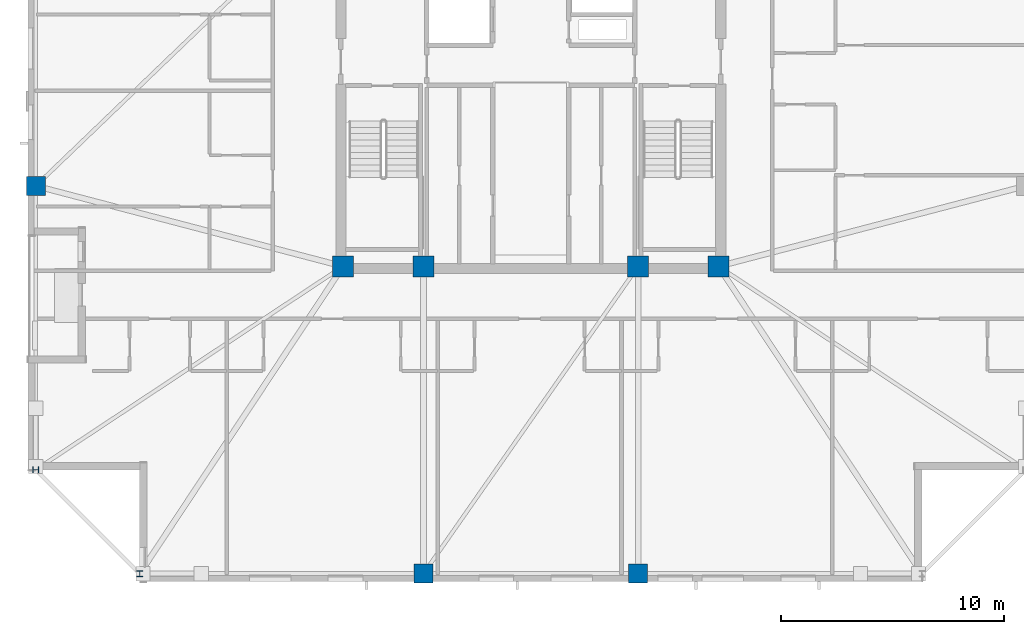
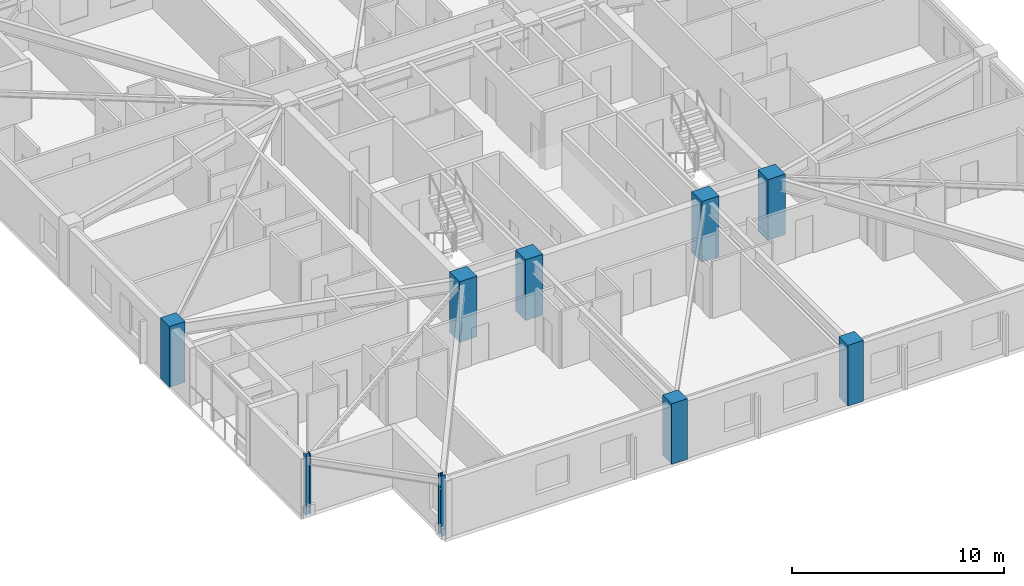
# One storey, part 1 of 17: 9 columns.
"""IFC4 building model written with IfcOpenShell, lengths in metres."""

from ifc_helpers import new_model, si_unit, direction, frame, origin, origin_2d, place, context, subcontext, project, spatial, rectangle, i_section, extrude, material, material_profile, profile_set, type_object, element, save


model = new_model("IFC4")

# Units and contexts
model_context = context("Model", 3, precision=1e-05, world=origin(), true_north=direction((0.0, 1.0)))
body_context = subcontext(model_context, "Body", "Model", "MODEL_VIEW")
ifc_project = project(units=[si_unit("LENGTHUNIT", "METRE"), si_unit("AREAUNIT", "SQUARE_METRE"), si_unit("VOLUMEUNIT", "CUBIC_METRE"), si_unit("PLANEANGLEUNIT", "RADIAN"), si_unit("MASSUNIT", "GRAM", prefix="KILO")], contexts=[model_context])

# Site, building, storey
site_placement = place(None, origin())
site = spatial("IfcSite", under=ifc_project, at=site_placement, CompositionType="ELEMENT")
building_placement = place(site_placement, origin())
building = spatial("IfcBuilding", under=site, at=building_placement, Name="Cairnveth Concourse Tower", CompositionType="ELEMENT")
storey_placement = place(building_placement, frame((0.0, 0.0, 248.0)))
storey = spatial("IfcBuildingStorey", under=building, at=storey_placement, Name="L68", CompositionType="ELEMENT", Elevation=248.0)

# Columns
ifc_material_1 = material(Name="Concrete N65 (65 MPa)", Category="concrete")
ifc_material_profile_1 = material_profile(ifc_material_1, rectangle(XDim=0.949951171875, YDim=0.949951171875, at=origin_2d()), Name="RC-COL-950x950")
ifc_profile_set_1 = profile_set([ifc_material_profile_1], Name="Concrete N65 (65 MPa)")
column_type_1 = type_object("IfcColumnType", Name="CORE COLUMN 950X950", PredefinedType="COLUMN", material=ifc_profile_set_1)
for number, where, z_axis, x_axis, name in (
    (1, (43.60009765625, 30.60009765625, 0.0), (0.0, 0.0, 1.0), (1.0, 0.0, 0.0), "Column CC1 L68"),
    (2, (47.199951171875, 30.60009765625, 0.0), (0.0, 0.0, 1.0), (1.0, 0.0, 0.0), "Column CC2 L68"),
    (3, (56.800048828125, 30.60009765625, 0.0), (0.0, 0.0, 1.0), (1.0, 0.0, 0.0), "Column CC3 L68"),
    (4, (60.39990234375, 30.60009765625, 0.0), (0.0, 0.0, 1.0), (1.0, 0.0, 0.0), "Column CC4 L68"),
):
    element("IfcColumn", number, at=place(storey_placement, frame(where, z_axis=z_axis, x_axis=x_axis)), inside=storey, type_object=column_type_1, Name=name, PredefinedType="COLUMN", context=body_context, shape_type="SweptSolid", body=[
        extrude(rectangle(XDim=0.949951171875, YDim=0.949951171875, at=origin_2d()), origin(), (0.0, 0.0, 1.0), 3.5),
    ])
ifc_material_profile_2 = material_profile(ifc_material_1, rectangle(XDim=0.85009765625, YDim=0.85009765625, at=origin_2d()), Name="RC-COL-850x850")
ifc_profile_set_2 = profile_set([ifc_material_profile_2], Name="Concrete N65 (65 MPa)")
column_type_2 = type_object("IfcColumnType", Name="PERIMETER PIER COLUMN 850X850", PredefinedType="COLUMN", material=ifc_profile_set_2)
for number, where, z_axis, x_axis, name in (
    (5, (47.199951171875, 16.85009765625, 0.0), (0.0, 0.0, 1.0), (1.0, 0.0, 0.0), "Column P-S2 L68"),
    (6, (56.800048828125, 16.85009765625, 0.0), (0.0, 0.0, 1.0), (1.0, 0.0, 0.0), "Column P-S3 L68"),
    (7, (29.85009765625, 34.199951171875, 0.0), (0.0, 0.0, 1.0), (0.0, 1.0, 0.0), "Column P-W3 L68"),
):
    element("IfcColumn", number, at=place(storey_placement, frame(where, z_axis=z_axis, x_axis=x_axis)), inside=storey, type_object=column_type_2, Name=name, PredefinedType="COLUMN", context=body_context, shape_type="SweptSolid", body=[
        extrude(rectangle(XDim=0.85009765625, YDim=0.85009765625, at=origin_2d()), origin(), (0.0, 0.0, 1.0), 3.5),
    ])
ifc_material_2 = material(Name="Steel Grade 350", Category="steel")
ifc_material_profile_3 = material_profile(ifc_material_2, i_section(OverallWidth=0.256103515625, OverallDepth=0.260009765625, WebThickness=0.010498046875, FlangeThickness=0.017333984375, FilletRadius=0.012939453125, at=origin_2d()), Name="250UC89.5")
ifc_profile_set_3 = profile_set([ifc_material_profile_3], Name="Steel Grade 350")
column_type_3 = type_object("IfcColumnType", Name="UNIVERSAL STEEL COLUMN 250UC89.5", PredefinedType="COLUMN", material=ifc_profile_set_3)
for number, where, z_axis, x_axis, name in (
    (8, (34.5, 16.85009765625, 0.0), (0.0, 0.0, 1.0), (1.0, 0.0, 0.0), "Column P-S1 L68"),
    (9, (29.85009765625, 21.5, 0.0), (0.0, 0.0, 1.0), (0.0, 1.0, 0.0), "Column P-W4 L68"),
):
    element("IfcColumn", number, at=place(storey_placement, frame(where, z_axis=z_axis, x_axis=x_axis)), inside=storey, type_object=column_type_3, Name=name, PredefinedType="COLUMN", context=body_context, shape_type="SweptSolid", body=[
        extrude(i_section(OverallWidth=0.256103515625, OverallDepth=0.260009765625, WebThickness=0.010498046875, FlangeThickness=0.017333984375, FilletRadius=0.012939453125, at=origin_2d()), origin(), (0.0, 0.0, 1.0), 3.5),
    ])

save(model, "model.ifc")
